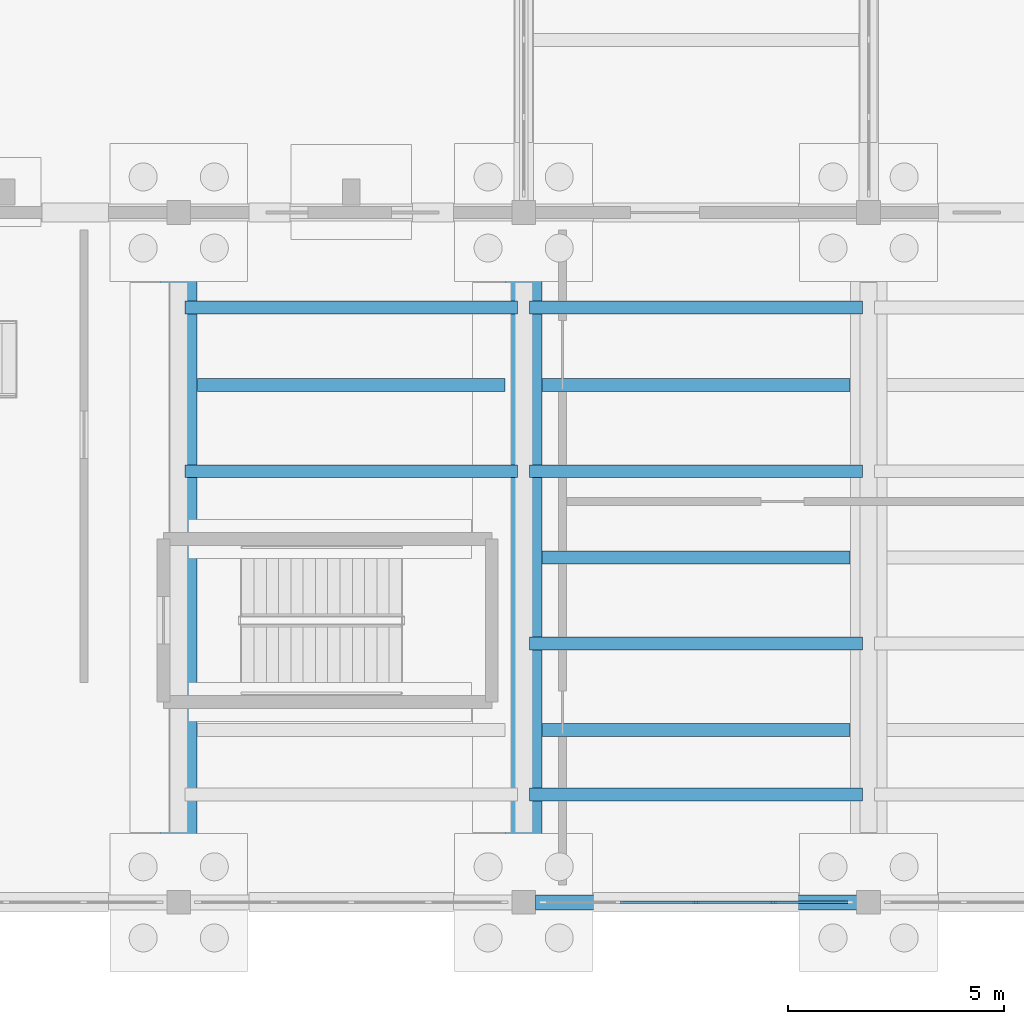
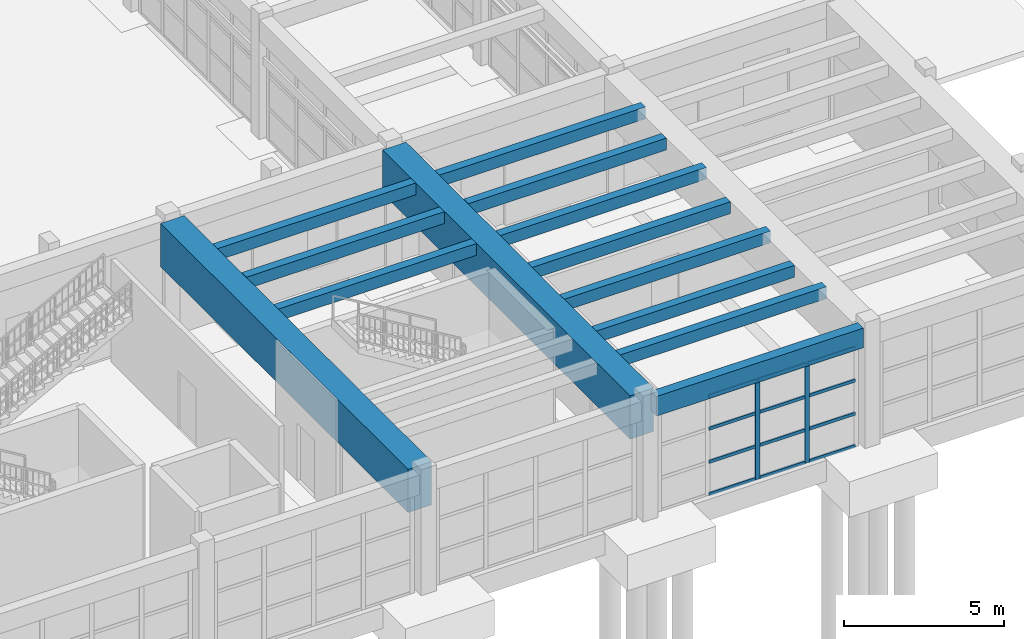
# One storey, part 20 of 68: 14 members, 13 beams, 1 element without a shape of its own.
"""IFC4 building model written with IfcOpenShell, lengths in metres."""

from ifc_helpers import new_model, si_unit, direction, frame, origin, origin_2d, place, context, subcontext, project, spatial, rectangle, extrude, material, material_profile, profile_set, type_object, element, aggregate, save


model = new_model("IFC4")

# Units and contexts
model_context = context("Model", 3, precision=1e-05, world=origin(), true_north=direction((0.0, 1.0)))
body_context = subcontext(model_context, "Body", "Model", "MODEL_VIEW")
ifc_project = project(units=[si_unit("LENGTHUNIT", "METRE"), si_unit("AREAUNIT", "SQUARE_METRE"), si_unit("VOLUMEUNIT", "CUBIC_METRE"), si_unit("PLANEANGLEUNIT", "RADIAN"), si_unit("MASSUNIT", "GRAM", prefix="KILO")], contexts=[model_context])

# Site, building, storey
site_placement = place(None, origin())
site = spatial("IfcSite", under=ifc_project, at=site_placement, CompositionType="ELEMENT")
building_placement = place(site_placement, origin())
building = spatial("IfcBuilding", under=site, at=building_placement, Name="Serraluz Foothill Cableway Terminal", CompositionType="ELEMENT")
storey_placement = place(building_placement, origin())
storey = spatial("IfcBuildingStorey", under=building, at=storey_placement, Name="L00", CompositionType="ELEMENT", Elevation=0.0)

# Beams
ifc_material_1 = material(Name="Concrete C35/45 (f'c 35 MPa)", Category="concrete")
ifc_material_profile_1 = material_profile(ifc_material_1, rectangle(XDim=0.85009765625, YDim=1.64990234375, at=origin_2d()), Name="RC TG 850x1650")
ifc_profile_set_1 = profile_set([ifc_material_profile_1], Name="Concrete C35/45 (f'c 35 MPa)")
beam_type_1 = type_object("IfcBeamType", Name="TYP-BM-RCTG1650", PredefinedType="BEAM", material=ifc_profile_set_1)
for number, where, z_axis, x_axis, name in (
    (1, (112.0, 0.27099609375, 3.715087890625), (0.0, 1.0, 0.0), (-1.0, 0.0, 0.0), "Transverse Girder BM-Y-L00-0154"),
    (2, (120.0, 0.27099609375, 3.715087890625), (0.0, 1.0, 0.0), (-1.0, 0.0, 0.0), "Transverse Girder BM-Y-L00-0156"),
):
    element("IfcBeam", number, at=place(storey_placement, frame(where, z_axis=z_axis, x_axis=x_axis)), inside=storey, type_object=beam_type_1, Name=name, PredefinedType="BEAM", context=body_context, shape_type="SweptSolid", body=[
        extrude(rectangle(XDim=0.85009765625, YDim=1.64990234375, at=origin_2d()), origin(), (0.0, 0.0, 1.0), 15.4580078125),
    ])

# Curtain wall, members
ifc_material_2 = material(Name="Architectural bronze alloy C28000", Category="aluminium")
curtain_wall_type = type_object("IfcCurtainWallType", Name="TYP-CW-440X360", PredefinedType="NOTDEFINED", material=ifc_material_2)
curtain_wall_placement = place(storey_placement, origin())
curtain_wall = element("IfcCurtainWall", 3, at=curtain_wall_placement, inside=storey, type_object=curtain_wall_type, Name="Ribbed Glazed Curtain Wall CW-V3S-L00-120", PredefinedType="NOTDEFINED")
ifc_material_profile_2 = material_profile(ifc_material_2, rectangle(XDim=0.06005859375, YDim=0.159912109375, at=origin_2d()), Name="ALU MULLION 60x160")
ifc_profile_set_2 = profile_set([ifc_material_profile_2], Name="Architectural bronze alloy C28000")
member_type_1 = type_object("IfcMemberType", Name="TYP-CW-MUL-60X160", PredefinedType="MULLION", material=ifc_profile_set_2)
member_1_placement = place(storey_placement, frame((125.79248046875, 0.0, 0.0), z_axis=(0.0, 0.0, 1.0), x_axis=(0.0, -1.0, 0.0)))
member_1 = element("IfcMember", 4, at=member_1_placement, type_object=member_type_1, Name="CW-16 mullion 2", PredefinedType="MULLION", context=body_context, shape_type="SweptSolid", body=[
    extrude(rectangle(XDim=0.06005859375, YDim=0.159912109375, at=origin_2d()), origin(), (0.0, 0.0, 1.0), 3.7900390625),
])
member_2_placement = place(storey_placement, frame((124.0, 0.0, 0.0), z_axis=(0.0, 0.0, 1.0), x_axis=(0.0, -1.0, 0.0)))
member_2 = element("IfcMember", 5, at=member_2_placement, type_object=member_type_1, Name="CW-16 mullion 3", PredefinedType="MULLION", context=body_context, shape_type="SweptSolid", body=[
    extrude(rectangle(XDim=0.06005859375, YDim=0.159912109375, at=origin_2d()), origin(), (0.0, 0.0, 1.0), 3.7900390625),
])
ifc_material_profile_3 = material_profile(ifc_material_2, rectangle(XDim=0.06005859375, YDim=0.1201171875, at=origin_2d()), Name="ALU TRANSOM 60x120")
ifc_profile_set_3 = profile_set([ifc_material_profile_3], Name="Architectural bronze alloy C28000")
member_type_2 = type_object("IfcMemberType", Name="TYP-CW-TRN-60X120", PredefinedType="USERDEFINED", material=ifc_profile_set_3)
member_3_placement = place(storey_placement, frame((127.52490234375, 0.0, 0.030029296875), z_axis=(-1.0, 0.0, 0.0), x_axis=(0.0, -1.0, 0.0)))
member_3 = element("IfcMember", 6, at=member_3_placement, type_object=member_type_2, Name="CW-16 transom 1.1", ObjectType="TRANSOM", PredefinedType="USERDEFINED", context=body_context, shape_type="SweptSolid", body=[
    extrude(rectangle(XDim=0.06005859375, YDim=0.1201171875, at=origin_2d()), origin(), (0.0, 0.0, 1.0), 1.702392578125),
])
member_4_placement = place(storey_placement, frame((127.52490234375, 0.0, 1.26318359375), z_axis=(-1.0, 0.0, 0.0), x_axis=(0.0, -1.0, 0.0)))
member_4 = element("IfcMember", 7, at=member_4_placement, type_object=member_type_2, Name="CW-16 transom 1.2", ObjectType="TRANSOM", PredefinedType="USERDEFINED", context=body_context, shape_type="SweptSolid", body=[
    extrude(rectangle(XDim=0.06005859375, YDim=0.1201171875, at=origin_2d()), origin(), (0.0, 0.0, 1.0), 1.702392578125),
])
member_5_placement = place(storey_placement, frame((127.52490234375, 0.0, 2.526611328125), z_axis=(-1.0, 0.0, 0.0), x_axis=(0.0, -1.0, 0.0)))
member_5 = element("IfcMember", 8, at=member_5_placement, type_object=member_type_2, Name="CW-16 transom 1.3", ObjectType="TRANSOM", PredefinedType="USERDEFINED", context=body_context, shape_type="SweptSolid", body=[
    extrude(rectangle(XDim=0.06005859375, YDim=0.1201171875, at=origin_2d()), origin(), (0.0, 0.0, 1.0), 1.702392578125),
])
member_6_placement = place(storey_placement, frame((127.52490234375, 0.0, 3.760009765625), z_axis=(-1.0, 0.0, 0.0), x_axis=(0.0, -1.0, 0.0)))
member_6 = element("IfcMember", 9, at=member_6_placement, type_object=member_type_2, Name="CW-16 transom 1.4", ObjectType="TRANSOM", PredefinedType="USERDEFINED", context=body_context, shape_type="SweptSolid", body=[
    extrude(rectangle(XDim=0.06005859375, YDim=0.1201171875, at=origin_2d()), origin(), (0.0, 0.0, 1.0), 1.702392578125),
])
member_7_placement = place(storey_placement, frame((125.762451171875, 0.0, 0.030029296875), z_axis=(-1.0, 0.0, 0.0), x_axis=(0.0, -1.0, 0.0)))
member_7 = element("IfcMember", 10, at=member_7_placement, type_object=member_type_2, Name="CW-16 transom 2.1", ObjectType="TRANSOM", PredefinedType="USERDEFINED", context=body_context, shape_type="SweptSolid", body=[
    extrude(rectangle(XDim=0.06005859375, YDim=0.1201171875, at=origin_2d()), origin(), (0.0, 0.0, 1.0), 1.732421875),
])
member_8_placement = place(storey_placement, frame((125.762451171875, 0.0, 1.26318359375), z_axis=(-1.0, 0.0, 0.0), x_axis=(0.0, -1.0, 0.0)))
member_8 = element("IfcMember", 11, at=member_8_placement, type_object=member_type_2, Name="CW-16 transom 2.2", ObjectType="TRANSOM", PredefinedType="USERDEFINED", context=body_context, shape_type="SweptSolid", body=[
    extrude(rectangle(XDim=0.06005859375, YDim=0.1201171875, at=origin_2d()), origin(), (0.0, 0.0, 1.0), 1.732421875),
])
member_9_placement = place(storey_placement, frame((125.762451171875, 0.0, 2.526611328125), z_axis=(-1.0, 0.0, 0.0), x_axis=(0.0, -1.0, 0.0)))
member_9 = element("IfcMember", 12, at=member_9_placement, type_object=member_type_2, Name="CW-16 transom 2.3", ObjectType="TRANSOM", PredefinedType="USERDEFINED", context=body_context, shape_type="SweptSolid", body=[
    extrude(rectangle(XDim=0.06005859375, YDim=0.1201171875, at=origin_2d()), origin(), (0.0, 0.0, 1.0), 1.732421875),
])
member_10_placement = place(storey_placement, frame((125.762451171875, 0.0, 3.760009765625), z_axis=(-1.0, 0.0, 0.0), x_axis=(0.0, -1.0, 0.0)))
member_10 = element("IfcMember", 13, at=member_10_placement, type_object=member_type_2, Name="CW-16 transom 2.4", ObjectType="TRANSOM", PredefinedType="USERDEFINED", context=body_context, shape_type="SweptSolid", body=[
    extrude(rectangle(XDim=0.06005859375, YDim=0.1201171875, at=origin_2d()), origin(), (0.0, 0.0, 1.0), 1.732421875),
])
member_11_placement = place(storey_placement, frame((123.969970703125, 0.0, 0.030029296875), z_axis=(-1.0, 0.0, 0.0), x_axis=(0.0, -1.0, 0.0)))
member_11 = element("IfcMember", 14, at=member_11_placement, type_object=member_type_2, Name="CW-16 transom 3.1", ObjectType="TRANSOM", PredefinedType="USERDEFINED", context=body_context, shape_type="SweptSolid", body=[
    extrude(rectangle(XDim=0.06005859375, YDim=0.1201171875, at=origin_2d()), origin(), (0.0, 0.0, 1.0), 1.732421875),
])
member_12_placement = place(storey_placement, frame((123.969970703125, 0.0, 1.26318359375), z_axis=(-1.0, 0.0, 0.0), x_axis=(0.0, -1.0, 0.0)))
member_12 = element("IfcMember", 15, at=member_12_placement, type_object=member_type_2, Name="CW-16 transom 3.2", ObjectType="TRANSOM", PredefinedType="USERDEFINED", context=body_context, shape_type="SweptSolid", body=[
    extrude(rectangle(XDim=0.06005859375, YDim=0.1201171875, at=origin_2d()), origin(), (0.0, 0.0, 1.0), 1.732421875),
])
member_13_placement = place(storey_placement, frame((123.969970703125, 0.0, 2.526611328125), z_axis=(-1.0, 0.0, 0.0), x_axis=(0.0, -1.0, 0.0)))
member_13 = element("IfcMember", 16, at=member_13_placement, type_object=member_type_2, Name="CW-16 transom 3.3", ObjectType="TRANSOM", PredefinedType="USERDEFINED", context=body_context, shape_type="SweptSolid", body=[
    extrude(rectangle(XDim=0.06005859375, YDim=0.1201171875, at=origin_2d()), origin(), (0.0, 0.0, 1.0), 1.732421875),
])
member_14_placement = place(storey_placement, frame((123.969970703125, 0.0, 3.760009765625), z_axis=(-1.0, 0.0, 0.0), x_axis=(0.0, -1.0, 0.0)))
member_14 = element("IfcMember", 17, at=member_14_placement, type_object=member_type_2, Name="CW-16 transom 3.4", ObjectType="TRANSOM", PredefinedType="USERDEFINED", context=body_context, shape_type="SweptSolid", body=[
    extrude(rectangle(XDim=0.06005859375, YDim=0.1201171875, at=origin_2d()), origin(), (0.0, 0.0, 1.0), 1.732421875),
])
aggregate(curtain_wall, [member_1, member_2, member_3, member_4, member_5, member_6, member_7, member_8, member_9, member_10, member_11, member_12, member_13, member_14])

# Beams
ifc_material_3 = material(Name="Concrete C28/35 (f'c 28 MPa)", Category="concrete")
ifc_material_profile_4 = material_profile(ifc_material_3, rectangle(XDim=0.300048828125, YDim=0.449951171875, at=origin_2d()), Name="RC 300x450")
ifc_profile_set_4 = profile_set([ifc_material_profile_4], Name="Concrete C28/35 (f'c 28 MPa)")
beam_type_2 = type_object("IfcBeamType", Name="TYP-JS-RC300X450", PredefinedType="JOIST", material=ifc_profile_set_4)
for number, where, z_axis, x_axis, name in (
    (18, (112.429931640625, 12.0, 4.31494140625), (1.0, 0.0, 0.0), (0.0, 1.0, 0.0), "Secondary Floor Joist JS-L00-0042"),
    (19, (120.429931640625, 4.0, 4.31494140625), (1.0, 0.0, 0.0), (0.0, 1.0, 0.0), "Secondary Floor Joist JS-L00-0046"),
    (20, (120.429931640625, 8.0, 4.31494140625), (1.0, 0.0, 0.0), (0.0, 1.0, 0.0), "Secondary Floor Joist JS-L00-0047"),
    (21, (120.429931640625, 12.0, 4.31494140625), (1.0, 0.0, 0.0), (0.0, 1.0, 0.0), "Secondary Floor Joist JS-L00-0048"),
):
    element("IfcBeam", number, at=place(storey_placement, frame(where, z_axis=z_axis, x_axis=x_axis)), inside=storey, type_object=beam_type_2, Name=name, PredefinedType="JOIST", context=body_context, shape_type="SweptSolid", body=[
        extrude(rectangle(XDim=0.300048828125, YDim=0.449951171875, at=origin_2d()), origin(), (0.0, 0.0, 1.0), 7.14013671875),
    ])
for number, where, z_axis, x_axis, name in (
    (22, (112.139892578125, 10.0, 4.31494140625), (1.0, 0.0, 0.0), (0.0, 1.0, 0.0), "Belvedere Deck Joist L00-071"),
    (23, (112.139892578125, 13.800048828125, 4.31494140625), (1.0, 0.0, 0.0), (0.0, 1.0, 0.0), "Belvedere Deck Joist L00-072"),
    (24, (120.139892578125, 2.5, 4.31494140625), (1.0, 0.0, 0.0), (0.0, 1.0, 0.0), "Belvedere Deck Joist L00-073"),
    (25, (120.139892578125, 6.0, 4.31494140625), (1.0, 0.0, 0.0), (0.0, 1.0, 0.0), "Belvedere Deck Joist L00-074"),
    (26, (120.139892578125, 10.0, 4.31494140625), (1.0, 0.0, 0.0), (0.0, 1.0, 0.0), "Belvedere Deck Joist L00-075"),
    (27, (120.139892578125, 13.800048828125, 4.31494140625), (1.0, 0.0, 0.0), (0.0, 1.0, 0.0), "Belvedere Deck Joist L00-076"),
):
    element("IfcBeam", number, at=place(storey_placement, frame(where, z_axis=z_axis, x_axis=x_axis)), inside=storey, type_object=beam_type_2, Name=name, PredefinedType="JOIST", context=body_context, shape_type="SweptSolid", body=[
        extrude(rectangle(XDim=0.300048828125, YDim=0.449951171875, at=origin_2d()), origin(), (0.0, 0.0, 1.0), 7.72021484375),
    ])
ifc_material_4 = material(Name="Precast concrete C40/50", Category="concrete")
ifc_material_profile_5 = material_profile(ifc_material_4, rectangle(XDim=0.35009765625, YDim=0.75, at=origin_2d()), Name="RC SP 350x750")
ifc_profile_set_5 = profile_set([ifc_material_profile_5], Name="Precast concrete C40/50")
beam_type_3 = type_object("IfcBeamType", Name="TYP-SP-RC350X750", PredefinedType="SPANDREL", material=ifc_profile_set_5)
beam_placement = place(storey_placement, frame((120.27099609375, 0.0, 4.1650390625), z_axis=(1.0, 0.0, 0.0), x_axis=(0.0, 1.0, 0.0)))
element("IfcBeam", 28, at=beam_placement, inside=storey, type_object=beam_type_3, Name="Primary Girder BM-X-L00-0038", PredefinedType="SPANDREL", context=body_context, shape_type="SweptSolid", body=[
    extrude(rectangle(XDim=0.35009765625, YDim=0.75, at=origin_2d()), origin(), (0.0, 0.0, 1.0), 7.4580078125),
])

save(model, "model.ifc")
